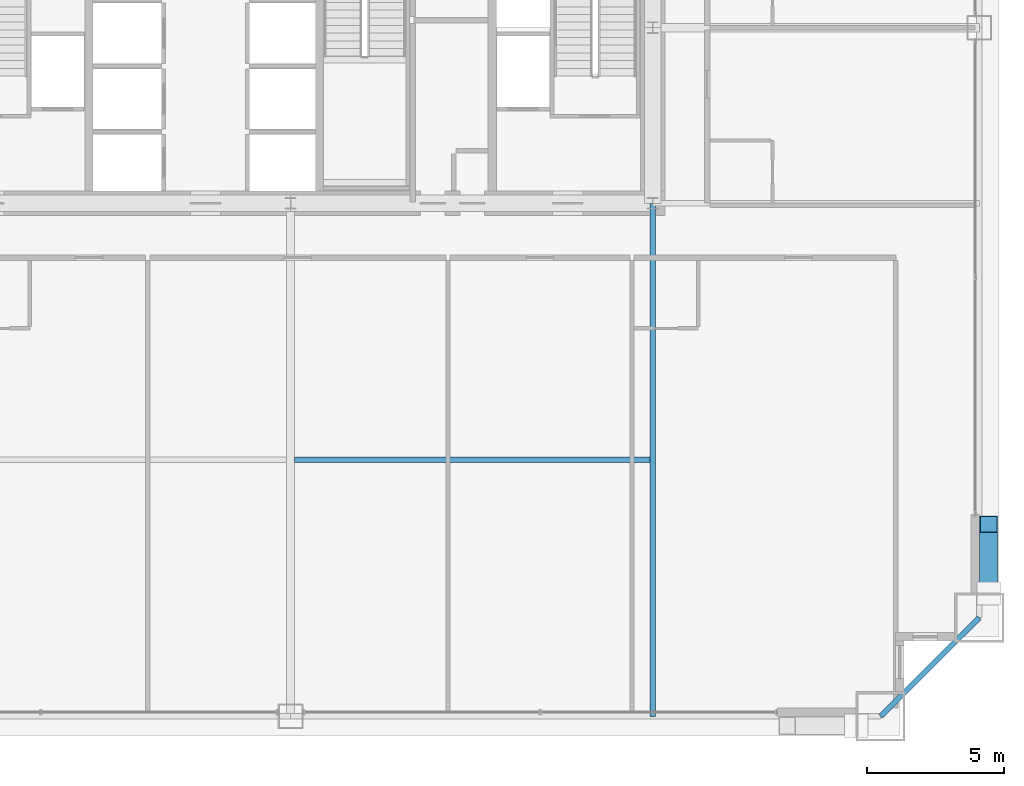
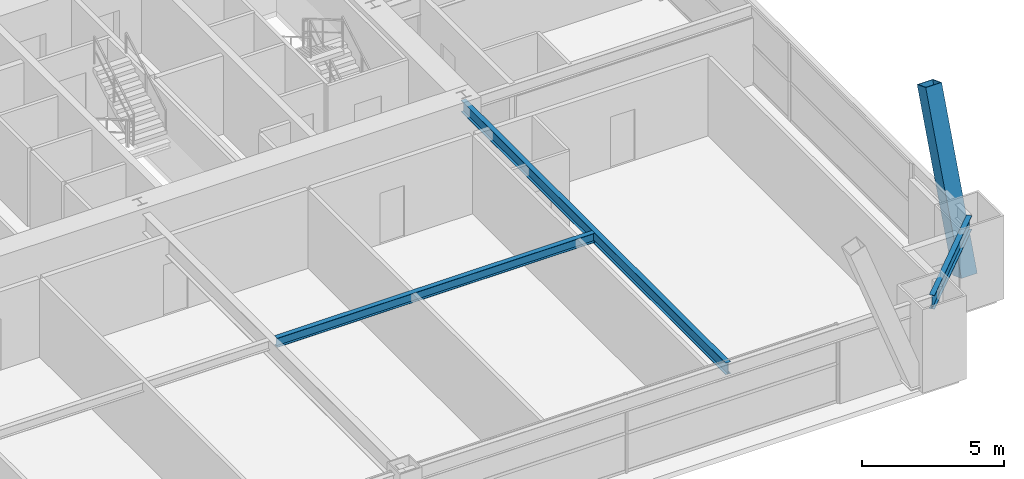
# One storey, part 16 of 43: 3 beams, 1 member.
"""IFC4 building model written with IfcOpenShell, lengths in metres."""

from ifc_helpers import new_model, si_unit, direction, frame, origin, origin_2d, place, context, subcontext, project, spatial, hollow_rectangle, i_section, extrude, source, transform, mapped, material, material_profile, profile_set, type_object, element, save


model = new_model("IFC4")

# Units and contexts
model_context = context("Model", 3, precision=1e-05, world=origin(), true_north=direction((0.0, 1.0)))
body_context = subcontext(model_context, "Body", "Model", "MODEL_VIEW")
ifc_project = project(units=[si_unit("LENGTHUNIT", "METRE"), si_unit("AREAUNIT", "SQUARE_METRE"), si_unit("VOLUMEUNIT", "CUBIC_METRE"), si_unit("PLANEANGLEUNIT", "RADIAN"), si_unit("MASSUNIT", "GRAM", prefix="KILO"), si_unit("THERMODYNAMICTEMPERATUREUNIT", "KELVIN"), si_unit("POWERUNIT", "WATT")], contexts=[model_context])

# Site, building, storey
site_placement = place(None, origin())
site = spatial("IfcSite", under=ifc_project, at=site_placement, CompositionType="ELEMENT")
building_placement = place(site_placement, origin())
building = spatial("IfcBuilding", under=site, at=building_placement, Name="Yuzanri Waterfront Tower", CompositionType="ELEMENT")
storey_placement = place(building_placement, frame((0.0, 0.0, 46.0)))
storey = spatial("IfcBuildingStorey", under=building, at=storey_placement, Name="L11", CompositionType="ELEMENT", Elevation=46.0)

# Beams
ifc_material_1 = material(Name="Steel Q355B", Category="steel")
ifc_material_profile_1 = material_profile(ifc_material_1, i_section(OverallWidth=0.199951171875, OverallDepth=0.60009765625, WebThickness=0.010986328125, FlangeThickness=0.01708984375, at=origin_2d()), Name="HN 600x200x11x17")
ifc_profile_set_1 = profile_set([ifc_material_profile_1], Name="Steel Q355B")
beam_type_1 = type_object("IfcBeamType", Name="Perimeter Spandrel Q355B HN 600x200", PredefinedType="SPANDREL", material=ifc_profile_set_1)
shared_shape_1 = source(origin(), body_context, "Body", "SweptSolid", [
    extrude(i_section(OverallWidth=0.199951171875, OverallDepth=0.60009765625, WebThickness=0.010986328125, FlangeThickness=0.01708984375, at=origin_2d()), origin(), (0.0, 0.0, 1.0), 5.09130859375),
])
beam_1_placement = place(storey_placement, frame((58.5, 0.699951171875, 3.080078125), z_axis=(0.707106781187, 0.707106781187, 0.0), x_axis=(-0.707106781187, 0.707106781187, 0.0)))
element("IfcBeam", 1, at=beam_1_placement, inside=storey, type_object=beam_type_1, Name="L11 Perimeter Spandrel S3-E1", PredefinedType="SPANDREL", context=body_context, shape_type="MappedRepresentation", body=[
    mapped(shared_shape_1, transform((0.0, 0.0, 0.0), scale=1.0)),
])
ifc_material_2 = material(Name="Steel Q355B", Category="steel")
ifc_material_profile_2 = material_profile(ifc_material_2, i_section(OverallWidth=0.199951171875, OverallDepth=0.5, WebThickness=0.010009765625, FlangeThickness=0.01611328125, at=origin_2d()), Name="HN 500x200x10x16")
ifc_profile_set_2 = profile_set([ifc_material_profile_2], Name="Steel Q355B")
beam_type_2 = type_object("IfcBeamType", Name="Secondary Floor Beam Q355B HN 500x200", PredefinedType="BEAM", material=ifc_profile_set_2)
shared_shape_2 = source(origin(), body_context, "Body", "SweptSolid", [
    extrude(i_section(OverallWidth=0.199951171875, OverallDepth=0.5, WebThickness=0.010009765625, FlangeThickness=0.01611328125, at=origin_2d()), origin(), (0.0, 0.0, 1.0), 18.699951171875),
])
beam_2_placement = place(storey_placement, frame((50.199951171875, 19.39990234375, 3.1298828125), z_axis=(0.0, -1.0, 0.0), x_axis=(1.0, 0.0, 0.0)))
element("IfcBeam", 2, at=beam_2_placement, inside=storey, type_object=beam_type_2, Name="L11 South-East Core Line Beam", PredefinedType="BEAM", context=body_context, shape_type="MappedRepresentation", body=[
    mapped(shared_shape_2, transform((0.0, 0.0, 0.0), scale=1.0)),
])
ifc_material_3 = material(Name="Steel Q355B", Category="steel")
ifc_material_profile_3 = material_profile(ifc_material_3, i_section(OverallWidth=0.199951171875, OverallDepth=0.39990234375, WebThickness=0.008056640625, FlangeThickness=0.012939453125, at=origin_2d()), Name="HN 400x200x8x13")
ifc_profile_set_3 = profile_set([ifc_material_profile_3], Name="Steel Q355B")
beam_type_3 = type_object("IfcBeamType", Name="Floor Joist Q355B HN 400x200", PredefinedType="JOIST", material=ifc_profile_set_3)
shared_shape_3 = source(origin(), body_context, "Body", "SweptSolid", [
    extrude(i_section(OverallWidth=0.199951171875, OverallDepth=0.39990234375, WebThickness=0.008056640625, FlangeThickness=0.012939453125, at=origin_2d()), origin(), (0.0, 0.0, 1.0), 12.9501953125),
])
beam_3_placement = place(storey_placement, frame((37.14990234375, 10.050048828125, 3.179931640625), z_axis=(1.0, 0.0, 0.0), x_axis=(0.0, 1.0, 0.0)))
element("IfcBeam", 3, at=beam_3_placement, inside=storey, type_object=beam_type_3, Name="L11 South Bay Joist E", PredefinedType="JOIST", context=body_context, shape_type="MappedRepresentation", body=[
    mapped(shared_shape_3, transform((0.0, 0.0, 0.0), scale=1.0)),
])

# Member
ifc_material_4 = material(Name="Steel Q420GJC", Category="steel")
ifc_material_profile_4 = material_profile(ifc_material_4, hollow_rectangle(XDim=0.64990234375, YDim=0.64990234375, WallThickness=0.028076171875, at=origin_2d()), Name="RHS 650x650x28")
ifc_profile_set_4 = profile_set([ifc_material_profile_4], Name="Steel Q420GJC")
member_type = type_object("IfcMemberType", Name="Mega Brace Lower Q420GJC RHS 650x650x28", PredefinedType="BRACE", material=ifc_profile_set_4)
shared_shape_4 = source(origin(), body_context, "Body", "SweptSolid", [
    extrude(hollow_rectangle(XDim=0.64990234375, YDim=0.64990234375, WallThickness=0.028076171875, at=origin_2d()), origin(), (0.0, 0.0, 1.0), 7.158203125),
])
member_placement = place(storey_placement, frame((62.43994140625, 5.179931640625, 0.179931640625), z_axis=(0.0, 0.352046480343, 0.935982518896), x_axis=(-1.0, 0.0, 0.0)))
element("IfcMember", 4, at=member_placement, inside=storey, type_object=member_type, Name="L11-L12 Perimeter Mega-Brace E-L", PredefinedType="BRACE", context=body_context, shape_type="MappedRepresentation", body=[
    mapped(shared_shape_4, transform((0.0, 0.0, 0.0), scale=1.0)),
])

save(model, "model.ifc")
